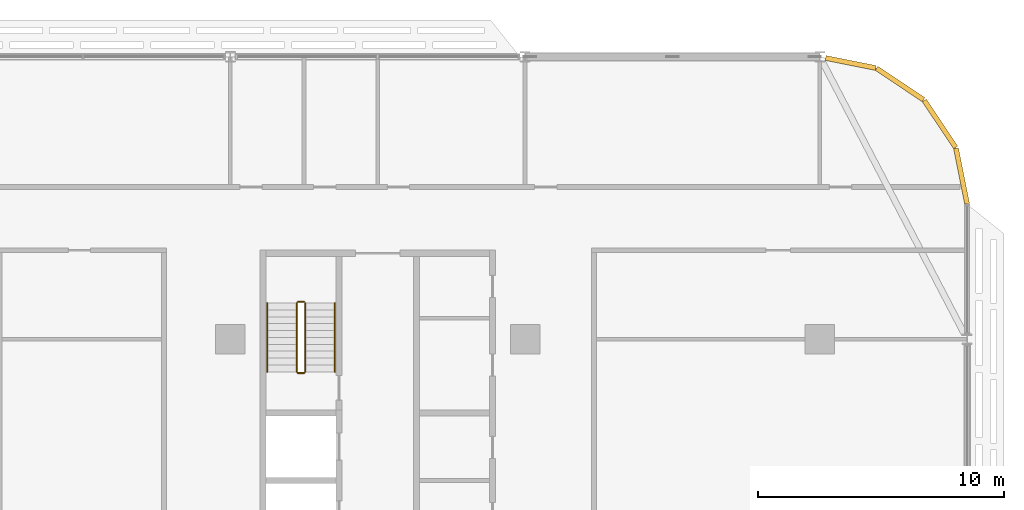
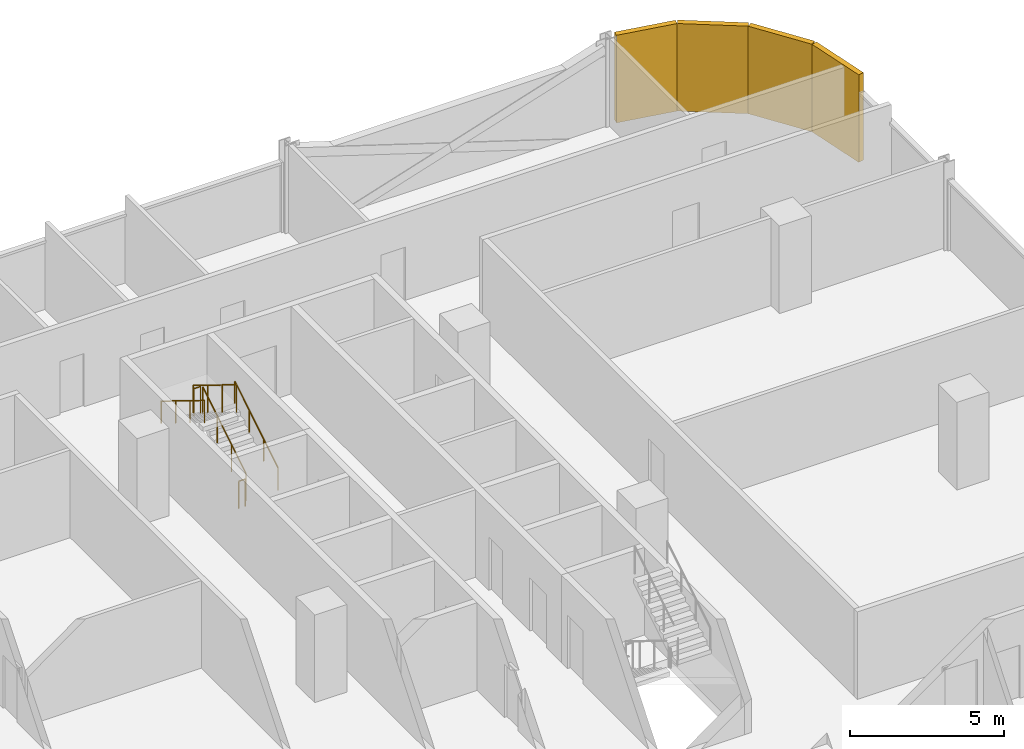
# One storey, part 27 of 27: 6 railings, 4 coverings.
"""IFC4 building model written with IfcOpenShell, lengths in metres."""

import ifcopenshell
import ifcopenshell.guid

model = None  # the IFC model being written
_history = None  # IfcOwnerHistory: only IFC2X3 demands one
_inside = {}  # id of a spatial element -> (the spatial element, [elements in it])
_under = {}  # id of a project, library or spatial element -> (it, [spatial elements below it])
_declared = {}  # id of a project -> (the project, [libraries it declares])
_typed = {}  # id of a type object -> (the type object, [elements of that type])
_made_of = {}  # id of a material, layer set ... -> (it, [elements and type objects made of it])


def new_model(schema):
    """Start an empty IFC model of exactly this schema.

    Asked for "IFC4X3", IfcOpenShell would pick the latest addendum, in which some entities
    have other attributes; the version numbers below select the first issue.
    IFC2X3 requires an IfcOwnerHistory on every rooted entity: one is made here for all.
    """
    global model, _history
    if schema == "IFC4X3":
        model = ifcopenshell.file(schema_version=(4, 3, 0, 0))
    else:
        model = ifcopenshell.file(schema=schema)
    _inside.clear()
    _under.clear()
    _declared.clear()
    _typed.clear()
    _made_of.clear()
    _history = None
    if model.schema == "IFC2X3":
        org = make("IfcOrganization", Name="unknown")
        user = make(
            "IfcPersonAndOrganization",
            ThePerson=make("IfcPerson", FamilyName="unknown"),
            TheOrganization=org,
        )
        app = make(
            "IfcApplication",
            ApplicationDeveloper=org,
            Version="unknown",
            ApplicationFullName="unknown",
            ApplicationIdentifier="unknown",
        )
        _history = make(
            "IfcOwnerHistory",
            OwningUser=user,
            OwningApplication=app,
            ChangeAction="ADDED",
            CreationDate=0,
        )
    return model


def make(cls, **values):
    """One entity of the class cls with the attributes given. An attribute that is None is left unset."""
    return model.create_entity(
        cls, **{name: value for name, value in values.items() if value is not None}
    )


def rooted(cls, **values):
    """An entity with a GlobalId (a new one), such as an element, a storey or a relation."""
    return make(cls, GlobalId=ifcopenshell.guid.new(), OwnerHistory=_history, **values)


def si_unit(unit_type, name, prefix=None):
    """IfcSIUnit, for example si_unit("LENGTHUNIT", "METRE", prefix="MILLI")."""
    return make("IfcSIUnit", UnitType=unit_type, Prefix=prefix, Name=name)


def assignment(units):
    """IfcUnitAssignment: the units of a project."""
    return None if units is None else make("IfcUnitAssignment", Units=units)


def point(xyz):
    """IfcCartesianPoint."""
    return None if xyz is None else make("IfcCartesianPoint", Coordinates=xyz)


def direction(xyz):
    """IfcDirection."""
    return None if xyz is None else make("IfcDirection", DirectionRatios=xyz)


def frame(location, z_axis=None, x_axis=None):
    """IfcAxis2Placement3D, a coordinate frame: its origin and axes. An axis left out is left unset."""
    return make(
        "IfcAxis2Placement3D",
        Location=point(location),
        Axis=direction(z_axis),
        RefDirection=direction(x_axis),
    )


def frame_2d(location, x_axis=None):
    """IfcAxis2Placement2D, a coordinate frame in the plane: its origin and x axis."""
    return make(
        "IfcAxis2Placement2D", Location=point(location), RefDirection=direction(x_axis)
    )


def origin():
    """The frame at (0, 0, 0) with its axes left unset."""
    return frame((0.0, 0.0, 0.0))


def origin_2d():
    """The frame at (0, 0) in the plane with its x axis left unset."""
    return frame_2d((0.0, 0.0))


def place(relative_to, where):
    """IfcLocalPlacement: puts the frame where relative to a parent placement (None: the world)."""
    return make(
        "IfcLocalPlacement", PlacementRelTo=relative_to, RelativePlacement=where
    )


def context(
    kind, dimensions, precision=None, world=None, true_north=None, identifier=None
):
    """IfcGeometricRepresentationContext, for example the 3D "Model" context."""
    return make(
        "IfcGeometricRepresentationContext",
        ContextIdentifier=identifier,
        ContextType=kind,
        CoordinateSpaceDimension=dimensions,
        Precision=precision,
        WorldCoordinateSystem=world,
        TrueNorth=true_north,
    )


def subcontext(parent, identifier, kind, view, scale=None):
    """IfcGeometricRepresentationSubContext, for example "Body" below "Model"."""
    return make(
        "IfcGeometricRepresentationSubContext",
        ContextIdentifier=identifier,
        ContextType=kind,
        ParentContext=parent,
        TargetScale=scale,
        TargetView=view,
    )


def project(units=None, contexts=None):
    """IfcProject with its units and contexts."""
    return rooted(
        "IfcProject",
        Name="project",
        RepresentationContexts=contexts,
        UnitsInContext=assignment(units),
    )


def spatial(cls, under=None, at=None, **own):
    """A site, building, storey or space (cls), placed at a placement, below another one or the project."""
    s = rooted(cls, ObjectPlacement=at, **own)
    if under is not None:
        _under.setdefault(under.id(), (under, []))[1].append(s)
    return s


def profile(cls, at=None, kind="AREA", **sizes):
    """A parametric profile (cls). Its sizes go by their IFC names, for example OverallWidth=200.0."""
    return make(cls, ProfileType=kind, Position=at, **sizes)


def rectangle(**sizes):
    """IfcRectangleProfileDef."""
    return profile("IfcRectangleProfileDef", **sizes)


def circle(**sizes):
    """IfcCircleProfileDef."""
    return profile("IfcCircleProfileDef", **sizes)


def extrude(swept, where, along, depth):
    """IfcExtrudedAreaSolid: the profile swept, set in the frame where, extruded along a direction by depth."""
    return make(
        "IfcExtrudedAreaSolid",
        SweptArea=swept,
        Position=where,
        ExtrudedDirection=direction(along),
        Depth=depth,
    )


def shape(context_of_items, identifier, shape_type, items):
    """IfcShapeRepresentation: the items that make up one representation, for example the "Body"."""
    return make(
        "IfcShapeRepresentation",
        ContextOfItems=context_of_items,
        RepresentationIdentifier=identifier,
        RepresentationType=shape_type,
        Items=items,
    )


def material(Name=None, Category=None):
    """IfcMaterial."""
    return make("IfcMaterial", Name=Name, Category=Category)


def layer(
    of_material, thickness, ventilated=None, Name=None, Category=None, Priority=None
):
    """IfcMaterialLayer: one layer of a wall or slab, of a material (None: an air gap)."""
    return make(
        "IfcMaterialLayer",
        Material=of_material,
        LayerThickness=thickness,
        IsVentilated=ventilated,
        Name=Name,
        Category=Category,
        Priority=Priority,
    )


def layer_set(layers, Name=None):
    """IfcMaterialLayerSet."""
    return make("IfcMaterialLayerSet", MaterialLayers=layers, LayerSetName=Name)


def made_of(thing, what):
    """Note that an element or type object is made of a material, layer set ...; save() writes the relation."""
    if what is not None:
        _made_of.setdefault(what.id(), (what, []))[1].append(thing)
    return thing


def type_object(cls, material=None, **own):
    """A type object (cls), such as IfcWallType, which elements share."""
    return made_of(rooted(cls, **own), material)


def element(
    cls,
    number,
    at=None,
    inside=None,
    cuts=None,
    type_object=None,
    material=None,
    context=None,
    identifier="Body",
    shape_type=None,
    held_by="IfcProductDefinitionShape",
    body=None,
    shapes=None,
    **own,
):
    """One element of the class cls, such as IfcWall. Its Tag is "e" and its number.

    at: its placement. inside: the storey or other place that contains it. cuts: it is an
    opening in that element (IfcRelVoidsElement). A single representation is given by context,
    identifier, shape_type and body (its items); several are given by shapes. held_by: the class
    of the entity that holds the representations. save() writes the other relations.
    """
    e = rooted(cls, Tag="e%d" % number, ObjectPlacement=at, **own)
    if body is not None:
        shapes = [shape(context, identifier, shape_type, body)]
    if shapes is not None:
        e.Representation = make(held_by, Representations=shapes)
    if inside is not None:
        _inside.setdefault(inside.id(), (inside, []))[1].append(e)
    if cuts is not None:
        rooted(
            "IfcRelVoidsElement", RelatingBuildingElement=cuts, RelatedOpeningElement=e
        )
    if type_object is not None:
        _typed.setdefault(type_object.id(), (type_object, []))[1].append(e)
    return made_of(e, material)


def aggregate(whole, parts):
    """IfcRelAggregates: a whole, such as a stair, and the parts it consists of."""
    return rooted("IfcRelAggregates", RelatingObject=whole, RelatedObjects=parts)


def save(model, path):
    """Write the relations noted so far, then the file.

    IfcRelAggregates (storeys below a building ...), IfcRelContainedInSpatialStructure (elements
    in a storey), IfcRelDefinesByType, IfcRelAssociatesMaterial and IfcRelDeclares: one each for
    every whole, place, type object, material and project.
    """
    for whole, parts in _under.values():
        aggregate(whole, parts)
    for where, things in _inside.values():
        rooted(
            "IfcRelContainedInSpatialStructure",
            RelatedElements=things,
            RelatingStructure=where,
        )
    for kind, things in _typed.values():
        rooted("IfcRelDefinesByType", RelatedObjects=things, RelatingType=kind)
    for what, things in _made_of.values():
        rooted("IfcRelAssociatesMaterial", RelatedObjects=things, RelatingMaterial=what)
    for by, libraries in _declared.values():
        rooted("IfcRelDeclares", RelatingContext=by, RelatedDefinitions=libraries)
    model.write(path)


model = new_model("IFC4")

# Units and contexts
model_context = context("Model", 3, precision=1e-05, world=origin(), true_north=direction((0.0, 1.0)))
body_context = subcontext(model_context, "Body", "Model", "MODEL_VIEW")
ifc_project = project(units=[si_unit("LENGTHUNIT", "METRE"), si_unit("AREAUNIT", "SQUARE_METRE"), si_unit("VOLUMEUNIT", "CUBIC_METRE"), si_unit("PLANEANGLEUNIT", "RADIAN"), si_unit("MASSUNIT", "GRAM", prefix="KILO")], contexts=[model_context])

# Site, building, storey
site_placement = place(None, origin())
site = spatial("IfcSite", under=ifc_project, at=site_placement, CompositionType="ELEMENT")
building_placement = place(site_placement, origin())
building = spatial("IfcBuilding", under=site, at=building_placement, Name="Mahtab Terrace Research Tower", CompositionType="ELEMENT")
storey_placement = place(building_placement, frame((0.0, 0.0, 170.60009765625)))
storey = spatial("IfcBuildingStorey", under=building, at=storey_placement, Name="L40", CompositionType="ELEMENT", Elevation=170.60009765625)

# Coverings
ifc_material_1 = material(Name="Black aluminium cladding panel", Category="aluminium")
ifc_layer = layer(ifc_material_1, 0.199951171875)
ifc_layer_set = layer_set([ifc_layer], Name="Black metal corner cladding 200")
covering_type = type_object("IfcCoveringType", Name="Black metal corner cladding 200", PredefinedType="CLADDING", material=ifc_layer_set)
for number, where, z_axis, x_axis, name in (
    (1, (46.89306640625, 20.26953125, 0.0), (0.0, 0.0, 1.0), (-0.555291490808, 0.831655794326, 0.0), "Corner cladding L40 0"),
    (2, (45.26953125, 21.89306640625, 0.0), (0.0, 0.0, 1.0), (-0.831655794326, 0.555291490808, 0.0), "Corner cladding L40 1"),
):
    element("IfcCovering", number, at=place(storey_placement, frame(where, z_axis=z_axis, x_axis=x_axis)), inside=storey, type_object=covering_type, Name=name, PredefinedType="CLADDING", context=body_context, shape_type="SweptSolid", body=[
        extrude(rectangle(XDim=2.30126953125, YDim=0.199951171875, at=origin_2d()), origin(), (0.0, 0.0, 1.0), 3.4599609375),
    ])
covering_1_placement = place(storey_placement, frame((43.25830078125, 22.74951171875, 0.0), z_axis=(0.0, 0.0, 1.0), x_axis=(-0.980760981187, 0.195212442692, 0.0)))
element("IfcCovering", 3, at=covering_1_placement, inside=storey, type_object=covering_type, Name="Corner cladding L40 2", PredefinedType="CLADDING", context=body_context, shape_type="SweptSolid", body=[
    extrude(rectangle(XDim=2.07666015625, YDim=0.199951171875, at=origin_2d()), origin(), (0.0, 0.0, 1.0), 3.4599609375),
])
covering_2_placement = place(storey_placement, frame((47.771484375, 18.14794921875, 0.0), z_axis=(0.0, 0.0, 1.0), x_axis=(-0.195212442692, 0.980760981187, 0.0)))
element("IfcCovering", 4, at=covering_2_placement, inside=storey, type_object=covering_type, Name="Corner cladding L40 38", PredefinedType="CLADDING", context=body_context, shape_type="SweptSolid", body=[
    extrude(rectangle(XDim=2.30126953125, YDim=0.199951171875, at=origin_2d()), origin(), (0.0, 0.0, 1.0), 3.4599609375),
])

# Railings
ifc_material_2 = material(Name="Stainless steel AISI 304", Category="steel")
railing_type_1 = type_object("IfcRailingType", Name="Stair guard 1100", PredefinedType="GUARDRAIL", material=ifc_material_2)
railing_1_placement = place(storey_placement, frame((21.050048828125, 10.175048828125, 0.172607421875)))
element("IfcRailing", 5, at=railing_1_placement, inside=storey, type_object=railing_type_1, Name="L40 ST3 stair guard 1", PredefinedType="GUARDRAIL", context=body_context, shape_type="SweptSolid", body=[
    extrude(circle(Radius=0.02392578125, at=origin_2d()), frame((0.0, 0.0, 1.076171875), z_axis=(0.0, 0.851089632645, 0.525020415988), x_axis=(-1.0, 0.0, 0.0)), (0.0, 0.0, 1.0), 3.2900390625),
    extrude(circle(Radius=0.02099609375, at=origin_2d()), origin(), (0.0, 0.0, 1.0), 1.052001953125),
    extrude(circle(Radius=0.02099609375, at=origin_2d()), frame((0.0, 0.933349609375, 0.57568359375)), (0.0, 0.0, 1.0), 1.052001953125),
    extrude(circle(Radius=0.02099609375, at=origin_2d()), frame((0.0, 1.86669921875, 1.151611328125)), (0.0, 0.0, 1.0), 1.052001953125),
    extrude(circle(Radius=0.02099609375, at=origin_2d()), frame((0.0, 2.800048828125, 1.727294921875)), (0.0, 0.0, 1.0), 1.052001953125),
])
railing_2_placement = place(storey_placement, frame((21.0, 13.02490234375, 1.89990234375)))
element("IfcRailing", 6, at=railing_2_placement, inside=storey, type_object=railing_type_1, Name="L40 ST3 stair guard 2", PredefinedType="GUARDRAIL", context=body_context, shape_type="SweptSolid", body=[
    extrude(circle(Radius=0.02392578125, at=origin_2d()), frame((0.0, 0.0, 1.076171875), z_axis=(-1.0, 0.0, 0.0), x_axis=(0.0, -1.0, 0.0)), (0.0, 0.0, 1.0), 0.25),
    extrude(circle(Radius=0.02099609375, at=origin_2d()), origin(), (0.0, 0.0, 1.0), 1.052001953125),
    extrude(circle(Radius=0.02099609375, at=origin_2d()), frame((-0.25, 0.0, 0.0)), (0.0, 0.0, 1.0), 1.052001953125),
])
railing_3_placement = place(storey_placement, frame((20.699951171875, 12.97509765625, 2.072509765625)))
element("IfcRailing", 7, at=railing_3_placement, inside=storey, type_object=railing_type_1, Name="L40 ST3 stair guard 3", PredefinedType="GUARDRAIL", context=body_context, shape_type="SweptSolid", body=[
    extrude(circle(Radius=0.02392578125, at=origin_2d()), frame((0.0, 0.0, 1.076171875), z_axis=(0.0, -0.851089632645, 0.525020415988), x_axis=(1.0, 0.0, 0.0)), (0.0, 0.0, 1.0), 3.2900390625),
    extrude(circle(Radius=0.02099609375, at=origin_2d()), origin(), (0.0, 0.0, 1.0), 1.052001953125),
    extrude(circle(Radius=0.02099609375, at=origin_2d()), frame((0.0, -0.933349609375, 0.57568359375)), (0.0, 0.0, 1.0), 1.052001953125),
    extrude(circle(Radius=0.02099609375, at=origin_2d()), frame((0.0, -1.86669921875, 1.151611328125)), (0.0, 0.0, 1.0), 1.052001953125),
    extrude(circle(Radius=0.02099609375, at=origin_2d()), frame((0.0, -2.800048828125, 1.727294921875)), (0.0, 0.0, 1.0), 1.052001953125),
])
railing_4_placement = place(storey_placement, frame((21.0, 10.125, 0.0)))
element("IfcRailing", 8, at=railing_4_placement, inside=storey, type_object=railing_type_1, Name="L40 ST3 stair guard 4", PredefinedType="GUARDRAIL", context=body_context, shape_type="SweptSolid", body=[
    extrude(circle(Radius=0.02392578125, at=origin_2d()), frame((0.0, 0.0, 1.076171875), z_axis=(-1.0, 0.0, 0.0), x_axis=(0.0, -1.0, 0.0)), (0.0, 0.0, 1.0), 0.25),
    extrude(circle(Radius=0.02099609375, at=origin_2d()), origin(), (0.0, 0.0, 1.0), 1.052001953125),
    extrude(circle(Radius=0.02099609375, at=origin_2d()), frame((-0.25, 0.0, 0.0)), (0.0, 0.0, 1.0), 1.052001953125),
])
railing_type_2 = type_object("IfcRailingType", Name="Stair handrail 900", PredefinedType="HANDRAIL", material=ifc_material_2)
railing_5_placement = place(storey_placement, frame((22.25, 10.175048828125, 0.172607421875)))
element("IfcRailing", 9, at=railing_5_placement, inside=storey, type_object=railing_type_2, Name="L40 ST3 stair handrail 1", PredefinedType="HANDRAIL", context=body_context, shape_type="SweptSolid", body=[
    extrude(circle(Radius=0.02392578125, at=origin_2d()), frame((0.0, 0.0, 0.8759765625), z_axis=(0.0, 0.851089632645, 0.525020415988), x_axis=(-1.0, 0.0, 0.0)), (0.0, 0.0, 1.0), 3.2900390625),
    extrude(circle(Radius=0.02099609375, at=origin_2d()), origin(), (0.0, 0.0, 1.0), 0.851806640625),
    extrude(circle(Radius=0.02099609375, at=origin_2d()), frame((0.0, 0.933349609375, 0.57568359375)), (0.0, 0.0, 1.0), 0.851806640625),
    extrude(circle(Radius=0.02099609375, at=origin_2d()), frame((0.0, 1.86669921875, 1.151611328125)), (0.0, 0.0, 1.0), 0.851806640625),
    extrude(circle(Radius=0.02099609375, at=origin_2d()), frame((0.0, 2.800048828125, 1.727294921875)), (0.0, 0.0, 1.0), 0.851806640625),
])
railing_6_placement = place(storey_placement, frame((19.5, 12.97509765625, 2.072509765625)))
element("IfcRailing", 10, at=railing_6_placement, inside=storey, type_object=railing_type_2, Name="L40 ST3 stair handrail 2", PredefinedType="HANDRAIL", context=body_context, shape_type="SweptSolid", body=[
    extrude(circle(Radius=0.02392578125, at=origin_2d()), frame((0.0, 0.0, 0.8759765625), z_axis=(0.0, -0.851089632645, 0.525020415988), x_axis=(1.0, 0.0, 0.0)), (0.0, 0.0, 1.0), 3.2900390625),
    extrude(circle(Radius=0.02099609375, at=origin_2d()), origin(), (0.0, 0.0, 1.0), 0.851806640625),
    extrude(circle(Radius=0.02099609375, at=origin_2d()), frame((0.0, -0.933349609375, 0.57568359375)), (0.0, 0.0, 1.0), 0.851806640625),
    extrude(circle(Radius=0.02099609375, at=origin_2d()), frame((0.0, -1.86669921875, 1.151611328125)), (0.0, 0.0, 1.0), 0.851806640625),
    extrude(circle(Radius=0.02099609375, at=origin_2d()), frame((0.0, -2.800048828125, 1.727294921875)), (0.0, 0.0, 1.0), 0.851806640625),
])

save(model, "model.ifc")
